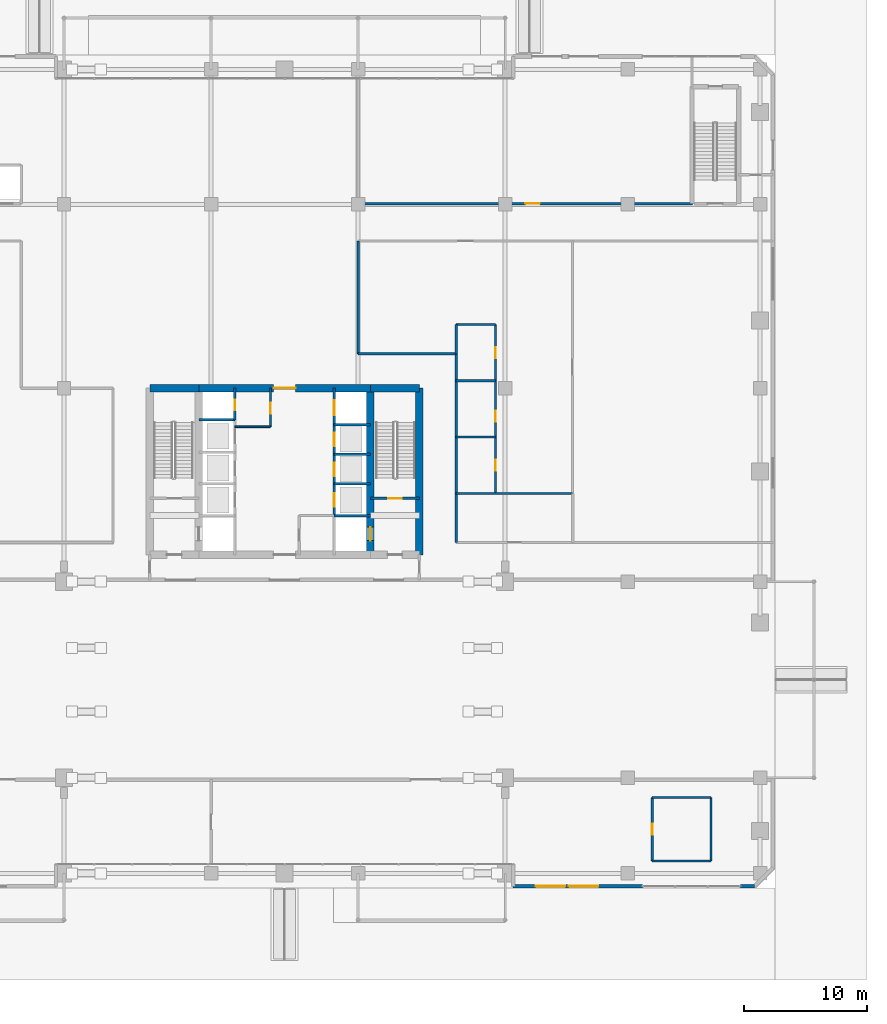
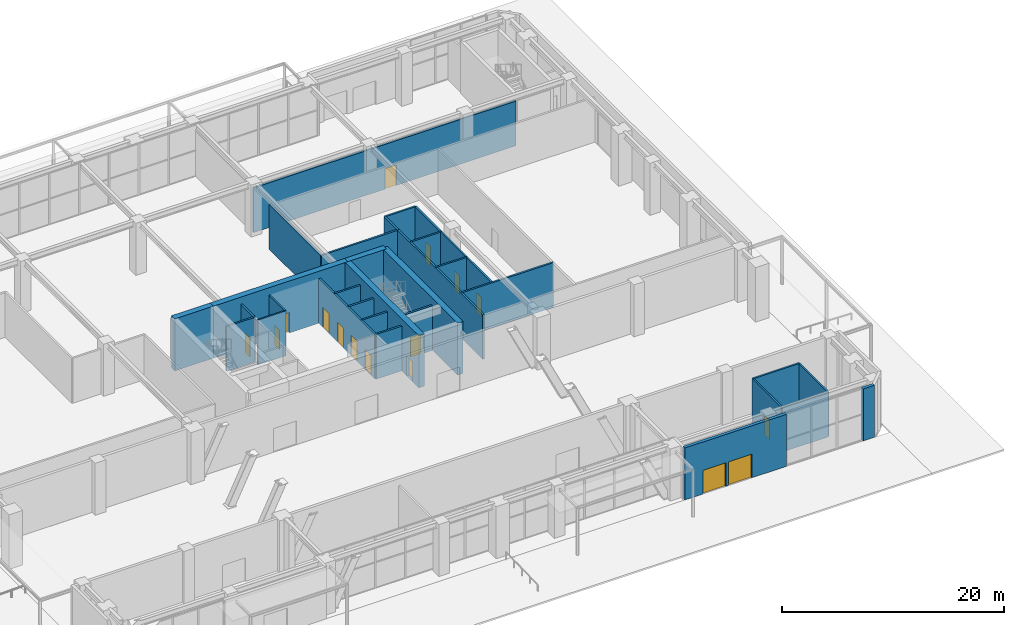
# One storey, part 38 of 49: 31 walls, 16 doors, 16 openings.
"""IFC4 building model written with IfcOpenShell, lengths in metres."""

from ifc_helpers import new_model, si_unit, direction, frame, frame_2d, origin, place, context, subcontext, project, spatial, rectangle, extrude, material, layer, layer_set, type_object, element, fill, save


model = new_model("IFC4")

# Units and contexts
model_context = context("Model", 3, precision=1e-05, world=origin(), true_north=direction((0.0, 1.0)))
body_context = subcontext(model_context, "Body", "Model", "MODEL_VIEW")
ifc_project = project(units=[si_unit("LENGTHUNIT", "METRE"), si_unit("AREAUNIT", "SQUARE_METRE"), si_unit("VOLUMEUNIT", "CUBIC_METRE"), si_unit("PLANEANGLEUNIT", "RADIAN"), si_unit("MASSUNIT", "GRAM", prefix="KILO")], contexts=[model_context])

# Site, building, storey
site_placement = place(None, origin())
site = spatial("IfcSite", under=ifc_project, at=site_placement, CompositionType="ELEMENT")
building_placement = place(site_placement, origin())
building = spatial("IfcBuilding", under=site, at=building_placement, Name="Sarneth Arch Tower", CompositionType="ELEMENT")
storey_placement = place(building_placement, origin())
storey = spatial("IfcBuildingStorey", under=building, at=storey_placement, Name="L00", CompositionType="ELEMENT", Elevation=0.0)

# Wall
ifc_material_1 = material(Name="Concrete C60/75", Category="concrete")
ifc_layer_1 = layer(ifc_material_1, 0.60009765625)
ifc_layer_set_1 = layer_set([ifc_layer_1], Name="Concrete C60/75")
wall_type_1 = type_object("IfcWallType", Name="WALL-CORE-600", PredefinedType="SHEAR", material=ifc_layer_set_1)
wall_1_placement = place(storey_placement, frame((37.0, 48.800048828125, 0.0), z_axis=(0.0, 0.0, 1.0), x_axis=(1.0, 0.0, 0.0)))
element("IfcWall", 1, at=wall_1_placement, inside=storey, type_object=wall_type_1, Name="L00 Core shear wall N-W", PredefinedType="SHEAR", context=body_context, shape_type="SweptSolid", body=[
    extrude(rectangle(XDim=4.0, YDim=0.60009765625, at=frame_2d((2.0, 0.0))), origin(), (0.0, 0.0, 1.0), 5.719970703125),
])

# Wall, opening, door
wall_2_placement = place(storey_placement, frame((41.0, 48.800048828125, 0.0), z_axis=(0.0, 0.0, 1.0), x_axis=(1.0, 0.0, 0.0)))
wall_2 = element("IfcWall", 2, at=wall_2_placement, inside=storey, type_object=wall_type_1, Name="L00 Core shear wall N-M", PredefinedType="SHEAR", context=body_context, shape_type="SweptSolid", body=[
    extrude(rectangle(XDim=14.0, YDim=0.60009765625, at=frame_2d((7.0, 0.0))), origin(), (0.0, 0.0, 1.0), 5.719970703125),
])
opening_1_placement = place(wall_2_placement, frame((6.10009765625, 0.0, 0.0)))
opening_1 = element("IfcOpeningElement", 3, at=opening_1_placement, cuts=wall_2, Name="Opening FD-01", PredefinedType="OPENING", context=body_context, shape_type="SweptSolid", body=[
    extrude(rectangle(XDim=1.800048828125, YDim=2.25, at=frame_2d((0.89990234375, 1.125))), frame((0.0, 0.31005859375, 0.0), z_axis=(0.0, -1.0, 0.0), x_axis=(1.0, 0.0, 0.0)), (0.0, 0.0, 1.0), 0.6201171875),
])
ifc_material_2 = material(Name="Galvanised Steel S275 fire door set", Category="steel")
door_type_1 = type_object("IfcDoorType", Name="DR-FD90-1800", OperationType="DOUBLE_DOOR_SINGLE_SWING", PredefinedType="DOOR", material=ifc_material_2)
door_1_placement = place(opening_1_placement, origin())
door_1 = element("IfcDoor", 4, at=door_1_placement, inside=storey, type_object=door_type_1, Name="L00 Central lift lobby north door", OperationType="DOUBLE_DOOR_SINGLE_SWING", OverallHeight=2.25, OverallWidth=1.800048828125, PredefinedType="DOOR", context=body_context, shape_type="SweptSolid", body=[
    extrude(rectangle(XDim=1.800048828125, YDim=2.25, at=frame_2d((0.89990234375, 1.125))), frame((0.0, 0.02490234375, 0.0), z_axis=(0.0, -1.0, 0.0), x_axis=(1.0, 0.0, 0.0)), (0.0, 0.0, 1.0), 0.050048828125),
])
fill(opening_1, door_1)

# Walls
wall_3_placement = place(storey_placement, frame((55.0, 48.800048828125, 0.0), z_axis=(0.0, 0.0, 1.0), x_axis=(1.0, 0.0, 0.0)))
element("IfcWall", 5, at=wall_3_placement, inside=storey, type_object=wall_type_1, Name="L00 Core shear wall N-E", PredefinedType="SHEAR", context=body_context, shape_type="SweptSolid", body=[
    extrude(rectangle(XDim=4.0, YDim=0.60009765625, at=frame_2d((2.0, 0.0))), origin(), (0.0, 0.0, 1.0), 5.719970703125),
])
wall_4_placement = place(storey_placement, frame((59.0, 35.199951171875, 0.0), z_axis=(0.0, 0.0, 1.0), x_axis=(0.0, 1.0, 0.0)))
element("IfcWall", 6, at=wall_4_placement, inside=storey, type_object=wall_type_1, Name="L00 Core shear wall E", PredefinedType="SHEAR", context=body_context, shape_type="SweptSolid", body=[
    extrude(rectangle(XDim=13.60009765625, YDim=0.60009765625, at=frame_2d((6.800048828125, 0.0))), origin(), (0.0, 0.0, 1.0), 5.719970703125),
])

# Wall, opening, door
wall_5_placement = place(storey_placement, frame((55.0, 35.199951171875, 0.0), z_axis=(0.0, 0.0, 1.0), x_axis=(0.0, 1.0, 0.0)))
wall_5 = element("IfcWall", 7, at=wall_5_placement, inside=storey, type_object=wall_type_1, Name="L00 Core shear wall WEB-E", PredefinedType="SHEAR", context=body_context, shape_type="SweptSolid", body=[
    extrude(rectangle(XDim=13.60009765625, YDim=0.60009765625, at=frame_2d((6.800048828125, 0.0))), origin(), (0.0, 0.0, 1.0), 5.719970703125),
])
opening_2_placement = place(wall_5_placement, frame((1.14990234375, 0.0, 0.0)))
opening_2 = element("IfcOpeningElement", 8, at=opening_2_placement, cuts=wall_5, Name="Opening LD-1", PredefinedType="OPENING", context=body_context, shape_type="SweptSolid", body=[
    extrude(rectangle(XDim=1.10009765625, YDim=2.199951171875, at=frame_2d((0.550048828125, 1.10009765625))), frame((0.0, 0.31005859375, 0.0), z_axis=(0.0, -1.0, 0.0), x_axis=(1.0, 0.0, 0.0)), (0.0, 0.0, 1.0), 0.6201171875),
])
ifc_material_3 = material(Name="Brushed Stainless Steel 304 lift landing door", Category="steel")
door_type_2 = type_object("IfcDoorType", Name="DR-LIFT-SLIDE-1100", OperationType="SLIDING_TO_LEFT", PredefinedType="DOOR", material=ifc_material_3)
door_2_placement = place(opening_2_placement, origin())
door_2 = element("IfcDoor", 9, at=door_2_placement, inside=storey, type_object=door_type_2, Name="L00 Firefighting lift landing door FL-2", OperationType="SLIDING_TO_RIGHT", OverallHeight=2.199951171875, OverallWidth=1.10009765625, PredefinedType="DOOR", context=body_context, shape_type="SweptSolid", body=[
    extrude(rectangle(XDim=1.10009765625, YDim=2.199951171875, at=frame_2d((0.550048828125, 1.10009765625))), frame((0.0, 0.02490234375, 0.0), z_axis=(0.0, -1.0, 0.0), x_axis=(1.0, 0.0, 0.0)), (0.0, 0.0, 1.0), 0.050048828125),
])
fill(opening_2, door_2)

ifc_material_4 = material(Name="Double steel-stud corridor fire wall", Category="steel")
ifc_layer_2 = layer(ifc_material_4, 0.18994140625)
ifc_layer_set_2 = layer_set([ifc_layer_2], Name="Double steel-stud corridor fire wall")
wall_type_2 = type_object("IfcWallType", Name="WALL-CORR-190", PredefinedType="PARTITIONING", material=ifc_layer_set_2)
wall_6_placement = place(storey_placement, frame((54.0, 63.85009765625, 0.0), z_axis=(0.0, 0.0, 1.0), x_axis=(1.0, 0.0, 0.0)))
wall_6 = element("IfcWall", 10, at=wall_6_placement, inside=storey, type_object=wall_type_2, Name="L00 Interior partition W-L00N-TP-004", PredefinedType="PARTITIONING", context=body_context, shape_type="SweptSolid", body=[
    extrude(rectangle(XDim=27.281982421875, YDim=0.18994140625, at=frame_2d((13.64111328125, 0.0))), origin(), (0.0, 0.0, 1.0), 4.919921875),
])
opening_3_placement = place(wall_6_placement, frame((13.64111328125, 0.0, 0.0)))
opening_3 = element("IfcOpeningElement", 11, at=opening_3_placement, cuts=wall_6, Name="Opening FD-06", PredefinedType="OPENING", context=body_context, shape_type="SweptSolid", body=[
    extrude(rectangle(XDim=1.199951171875, YDim=2.25, at=frame_2d((0.60009765625, 1.125))), frame((0.0, 0.10498046875, 0.0), z_axis=(0.0, -1.0, 0.0), x_axis=(1.0, 0.0, 0.0)), (0.0, 0.0, 1.0), 0.2099609375),
])
ifc_material_5 = material(Name="Hardwood timber acoustic fire door", Category="wood")
door_type_3 = type_object("IfcDoorType", Name="DR-FD60-1200", OperationType="SINGLE_SWING_LEFT", PredefinedType="DOOR", material=ifc_material_5)
door_3_placement = place(opening_3_placement, origin())
door_3 = element("IfcDoor", 12, at=door_3_placement, inside=storey, type_object=door_type_3, Name="L00 Interior door DR-L00-RLOB", OperationType="SINGLE_SWING_LEFT", OverallHeight=2.25, OverallWidth=1.199951171875, PredefinedType="DOOR", context=body_context, shape_type="SweptSolid", body=[
    extrude(rectangle(XDim=1.199951171875, YDim=2.25, at=frame_2d((0.60009765625, 1.125))), frame((0.0, 0.02490234375, 0.0), z_axis=(0.0, -1.0, 0.0), x_axis=(1.0, 0.0, 0.0)), (0.0, 0.0, 1.0), 0.050048828125),
])
fill(opening_3, door_3)

# Walls
wall_7_placement = place(storey_placement, frame((54.0, 60.800048828125, 0.0), z_axis=(0.0, 0.0, 1.0), x_axis=(0.0, -1.0, 0.0)))
element("IfcWall", 13, at=wall_7_placement, inside=storey, type_object=wall_type_2, Name="L00 Interior partition W-L00N-TP-019", PredefinedType="PARTITIONING", context=body_context, shape_type="SweptSolid", body=[
    extrude(rectangle(XDim=9.199951171875, YDim=0.18994140625, at=frame_2d((4.60009765625, 0.0))), origin(), (0.0, 0.0, 1.0), 4.919921875),
])
wall_8_placement = place(storey_placement, frame((54.0, 51.60009765625, 0.0), z_axis=(0.0, 0.0, 1.0), x_axis=(1.0, 0.0, 0.0)))
element("IfcWall", 14, at=wall_8_placement, inside=storey, type_object=wall_type_2, Name="L00 Interior partition W-L00N-TP-020", PredefinedType="PARTITIONING", context=body_context, shape_type="SweptSolid", body=[
    extrude(rectangle(XDim=8.0, YDim=0.18994140625, at=frame_2d((4.0, 0.0))), origin(), (0.0, 0.0, 1.0), 4.919921875),
])
wall_9_placement = place(storey_placement, frame((62.0, 40.199951171875, 0.0), z_axis=(0.0, 0.0, 1.0), x_axis=(1.0, 0.0, 0.0)))
element("IfcWall", 15, at=wall_9_placement, inside=storey, type_object=wall_type_2, Name="L00 Interior partition W-L00N-TP-026", PredefinedType="PARTITIONING", context=body_context, shape_type="SweptSolid", body=[
    extrude(rectangle(XDim=9.5, YDim=0.18994140625, at=frame_2d((4.75, 0.0))), origin(), (0.0, 0.0, 1.0), 4.919921875),
])
wall_10_placement = place(storey_placement, frame((62.0, 51.60009765625, 0.0), z_axis=(0.0, 0.0, 1.0), x_axis=(0.0, -1.0, 0.0)))
element("IfcWall", 16, at=wall_10_placement, inside=storey, type_object=wall_type_2, Name="L00 Interior partition W-L00N-TP-015", PredefinedType="PARTITIONING", context=body_context, shape_type="SweptSolid", body=[
    extrude(rectangle(XDim=15.400146484375, YDim=0.18994140625, at=frame_2d((7.7001953125, 0.0))), origin(), (0.0, 0.0, 1.0), 4.919921875),
])
ifc_material_6 = material(Name="Extruded terracotta rainscreen on Concrete C40/50 backing", Category="masonry")
ifc_layer_3 = layer(ifc_material_6, 0.320068359375)
ifc_layer_set_3 = layer_set([ifc_layer_3], Name="Extruded terracotta rainscreen on Concrete C40/50 backing")
wall_type_3 = type_object("IfcWallType", Name="WALL-EXT-TERRA-320", PredefinedType="SOLIDWALL", material=ifc_layer_set_3)
wall_11_placement = place(storey_placement, frame((85.199951171875, 8.14990234375, 0.0), z_axis=(0.0, 0.0, 1.0), x_axis=(1.0, 0.0, 0.0)))
element("IfcWall", 17, at=wall_11_placement, inside=storey, type_object=wall_type_3, Name="L00 South-east pier", PredefinedType="SOLIDWALL", context=body_context, shape_type="SweptSolid", body=[
    extrude(rectangle(XDim=1.150146484375, YDim=0.320068359375, at=frame_2d((0.5751953125, 0.0))), origin(), (0.0, 0.0, 1.0), 5.719970703125),
])

# Wall, openings, doors
wall_12_placement = place(storey_placement, frame((77.199951171875, 8.14990234375, 0.0), z_axis=(0.0, 0.0, 1.0), x_axis=(-1.0, 0.0, 0.0)))
wall_12 = element("IfcWall", 18, at=wall_12_placement, inside=storey, type_object=wall_type_3, Name="L00 South-east podium wing wall", PredefinedType="SOLIDWALL", context=body_context, shape_type="SweptSolid", body=[
    extrude(rectangle(XDim=10.550048828125, YDim=0.320068359375, at=frame_2d((5.27490234375, 0.0))), origin(), (0.0, 0.0, 1.0), 5.719970703125),
])
opening_4_placement = place(wall_12_placement, frame((6.300048828125, 0.0, 0.0)))
opening_4 = element("IfcOpeningElement", 19, at=opening_4_placement, cuts=wall_12, Name="Opening ED-1", PredefinedType="OPENING", context=body_context, shape_type="SweptSolid", body=[
    extrude(rectangle(XDim=2.39990234375, YDim=2.60009765625, at=frame_2d((1.199951171875, 1.300048828125))), frame((0.0, 0.169921875, 0.0), z_axis=(0.0, -1.0, 0.0), x_axis=(1.0, 0.0, 0.0)), (0.0, 0.0, 1.0), 0.340087890625),
])
opening_5_placement = place(wall_12_placement, frame((3.60009765625, 0.0, 0.0)))
opening_5 = element("IfcOpeningElement", 20, at=opening_5_placement, cuts=wall_12, Name="Opening ED-1", PredefinedType="OPENING", context=body_context, shape_type="SweptSolid", body=[
    extrude(rectangle(XDim=2.39990234375, YDim=2.60009765625, at=frame_2d((1.199951171875, 1.300048828125))), frame((0.0, 0.169921875, 0.0), z_axis=(0.0, -1.0, 0.0), x_axis=(1.0, 0.0, 0.0)), (0.0, 0.0, 1.0), 0.340087890625),
])
ifc_material_7 = material(Name="Thermally broken Aluminium 6063-T6 and laminated safety glass", Category="aluminium")
door_type_4 = type_object("IfcDoorType", Name="DR-EXT-DBL-2400", OperationType="DOUBLE_DOOR_SINGLE_SWING", PredefinedType="DOOR", material=ifc_material_7)
door_4_placement = place(opening_4_placement, origin())
door_4 = element("IfcDoor", 21, at=door_4_placement, inside=storey, type_object=door_type_4, Name="South Plaza Retail Exit Door 2", OperationType="DOUBLE_DOOR_SINGLE_SWING", OverallHeight=2.60009765625, OverallWidth=2.39990234375, PredefinedType="DOOR", context=body_context, shape_type="SweptSolid", body=[
    extrude(rectangle(XDim=2.39990234375, YDim=2.60009765625, at=frame_2d((1.199951171875, 1.300048828125))), frame((0.0, 0.02490234375, 0.0), z_axis=(0.0, -1.0, 0.0), x_axis=(1.0, 0.0, 0.0)), (0.0, 0.0, 1.0), 0.050048828125),
])
fill(opening_4, door_4)
door_5_placement = place(opening_5_placement, origin())
door_5 = element("IfcDoor", 22, at=door_5_placement, inside=storey, type_object=door_type_4, Name="South Plaza Retail Exit Door 3", OperationType="DOUBLE_DOOR_SINGLE_SWING", OverallHeight=2.60009765625, OverallWidth=2.39990234375, PredefinedType="DOOR", context=body_context, shape_type="SweptSolid", body=[
    extrude(rectangle(XDim=2.39990234375, YDim=2.60009765625, at=frame_2d((1.199951171875, 1.300048828125))), frame((0.0, 0.02490234375, 0.0), z_axis=(0.0, -1.0, 0.0), x_axis=(1.0, 0.0, 0.0)), (0.0, 0.0, 1.0), 0.050048828125),
])
fill(opening_5, door_5)

# Wall
ifc_material_8 = material(Name="Acoustic gypsum stud partition", Category="gypsum")
ifc_layer_4 = layer(ifc_material_8, 0.14990234375)
ifc_layer_set_4 = layer_set([ifc_layer_4], Name="Acoustic gypsum stud partition")
wall_type_4 = type_object("IfcWallType", Name="WALL-PART-150", PredefinedType="PARTITIONING", material=ifc_layer_set_4)
wall_13_placement = place(storey_placement, frame((43.949951171875, 45.64990234375, 0.0), z_axis=(0.0, 0.0, 1.0), x_axis=(1.0, 0.0, 0.0)))
element("IfcWall", 23, at=wall_13_placement, inside=storey, type_object=wall_type_4, Name="L00 Interior partition W-L00-CSUP1-S", PredefinedType="PARTITIONING", context=body_context, shape_type="SweptSolid", body=[
    extrude(rectangle(XDim=2.900146484375, YDim=0.14990234375, at=frame_2d((1.4501953125, 0.0))), origin(), (0.0, 0.0, 1.0), 4.919921875),
])

# Wall, opening, door
wall_14_placement = place(storey_placement, frame((46.85009765625, 45.64990234375, 0.0), z_axis=(0.0, 0.0, 1.0), x_axis=(0.0, 1.0, 0.0)))
wall_14 = element("IfcWall", 24, at=wall_14_placement, inside=storey, type_object=wall_type_4, Name="L00 Interior partition W-L00-CSUP1-E", PredefinedType="PARTITIONING", context=body_context, shape_type="SweptSolid", body=[
    extrude(rectangle(XDim=3.150146484375, YDim=0.14990234375, at=frame_2d((1.5751953125, 0.0))), origin(), (0.0, 0.0, 1.0), 4.919921875),
])
opening_6_placement = place(wall_14_placement, frame((1.050048828125, 0.0, 0.0)))
opening_6 = element("IfcOpeningElement", 25, at=opening_6_placement, cuts=wall_14, Name="Opening FD-10", PredefinedType="OPENING", context=body_context, shape_type="SweptSolid", body=[
    extrude(rectangle(XDim=0.89990234375, YDim=2.14990234375, at=frame_2d((0.449951171875, 1.074951171875))), frame((0.0, 0.0849609375, 0.0), z_axis=(0.0, -1.0, 0.0), x_axis=(1.0, 0.0, 0.0)), (0.0, 0.0, 1.0), 0.169921875),
])
ifc_material_9 = material(Name="Galvanised Steel S275 riser/service fire door", Category="steel")
door_type_5 = type_object("IfcDoorType", Name="DR-FD60-900", OperationType="SINGLE_SWING_LEFT", PredefinedType="DOOR", material=ifc_material_9)
door_6_placement = place(opening_6_placement, origin())
door_6 = element("IfcDoor", 26, at=door_6_placement, inside=storey, type_object=door_type_5, Name="L00 Interior door DR-L00-CSUP1", OperationType="SINGLE_SWING_LEFT", OverallHeight=2.14990234375, OverallWidth=0.89990234375, PredefinedType="DOOR", context=body_context, shape_type="SweptSolid", body=[
    extrude(rectangle(XDim=0.89990234375, YDim=2.14990234375, at=frame_2d((0.449951171875, 1.074951171875))), frame((0.0, 0.02490234375, 0.0), z_axis=(0.0, -1.0, 0.0), x_axis=(1.0, 0.0, 0.0)), (0.0, 0.0, 1.0), 0.050048828125),
])
fill(opening_6, door_6)

ifc_material_10 = material(Name="Moisture-resistant plumbing chase wall", Category="gypsum")
ifc_layer_5 = layer(ifc_material_10, 0.179931640625)
ifc_layer_set_5 = layer_set([ifc_layer_5], Name="Moisture-resistant plumbing chase wall")
wall_type_5 = type_object("IfcWallType", Name="WALL-PLUMB-180", PredefinedType="PLUMBINGWALL", material=ifc_layer_set_5)
wall_15_placement = place(storey_placement, frame((78.0, 15.39990234375, 0.0), z_axis=(0.0, 0.0, 1.0), x_axis=(0.0, -1.0, 0.0)))
wall_15 = element("IfcWall", 27, at=wall_15_placement, inside=storey, type_object=wall_type_5, Name="L00 Interior partition W-L00S-TP-002", PredefinedType="PLUMBINGWALL", context=body_context, shape_type="SweptSolid", body=[
    extrude(rectangle(XDim=5.199951171875, YDim=0.179931640625, at=frame_2d((2.60009765625, 0.0))), origin(), (0.0, 0.0, 1.0), 4.919921875),
])
opening_7_placement = place(wall_15_placement, frame((2.14990234375, 0.0, 0.0)))
opening_7 = element("IfcOpeningElement", 28, at=opening_7_placement, cuts=wall_15, Name="Opening ID-01", PredefinedType="OPENING", context=body_context, shape_type="SweptSolid", body=[
    extrude(rectangle(XDim=0.89990234375, YDim=2.10009765625, at=frame_2d((0.449951171875, 1.050048828125))), frame((0.0, 0.099853515625, 0.0), z_axis=(0.0, -1.0, 0.0), x_axis=(1.0, 0.0, 0.0)), (0.0, 0.0, 1.0), 0.199951171875),
])
ifc_material_11 = material(Name="Engineered hardwood flush door", Category="wood")
door_type_6 = type_object("IfcDoorType", Name="DR-INT-900", OperationType="SINGLE_SWING_LEFT", PredefinedType="DOOR", material=ifc_material_11)
door_7_placement = place(opening_7_placement, origin())
door_7 = element("IfcDoor", 29, at=door_7_placement, inside=storey, type_object=door_type_6, Name="L00 Interior door DR-L00-SWC", OperationType="SINGLE_SWING_RIGHT", OverallHeight=2.10009765625, OverallWidth=0.89990234375, PredefinedType="DOOR", context=body_context, shape_type="SweptSolid", body=[
    extrude(rectangle(XDim=0.89990234375, YDim=2.10009765625, at=frame_2d((0.449951171875, 1.050048828125))), frame((0.0, 0.02490234375, 0.0), z_axis=(0.0, -1.0, 0.0), x_axis=(1.0, 0.0, 0.0)), (0.0, 0.0, 1.0), 0.050048828125),
])
fill(opening_7, door_7)

# Walls
wall_16_placement = place(storey_placement, frame((82.800048828125, 10.199951171875, 0.0), z_axis=(0.0, 0.0, 1.0), x_axis=(0.0, 1.0, 0.0)))
element("IfcWall", 30, at=wall_16_placement, inside=storey, type_object=wall_type_5, Name="L00 Interior partition W-L00S-TP-004", PredefinedType="PLUMBINGWALL", context=body_context, shape_type="SweptSolid", body=[
    extrude(rectangle(XDim=5.199951171875, YDim=0.179931640625, at=frame_2d((2.60009765625, 0.0))), origin(), (0.0, 0.0, 1.0), 4.919921875),
])
for number, where, z_axis, x_axis, name in (
    (31, (78.0, 10.199951171875, 0.0), (0.0, 0.0, 1.0), (1.0, 0.0, 0.0), "L00 Interior partition W-L00S-TP-003"),
    (32, (82.800048828125, 15.39990234375, 0.0), (0.0, 0.0, 1.0), (-1.0, 0.0, 0.0), "L00 Interior partition W-L00S-TP-005"),
):
    element("IfcWall", number, at=place(storey_placement, frame(where, z_axis=z_axis, x_axis=x_axis)), inside=storey, type_object=wall_type_5, Name=name, PredefinedType="PLUMBINGWALL", context=body_context, shape_type="SweptSolid", body=[
        extrude(rectangle(XDim=4.800048828125, YDim=0.179931640625, at=frame_2d((2.39990234375, 0.0))), origin(), (0.0, 0.0, 1.0), 4.919921875),
    ])

# Wall, openings, doors
wall_17_placement = place(storey_placement, frame((65.199951171875, 54.0, 0.0), z_axis=(0.0, 0.0, 1.0), x_axis=(0.0, -1.0, 0.0)))
wall_17 = element("IfcWall", 33, at=wall_17_placement, inside=storey, type_object=wall_type_5, Name="L00 Interior partition W-L00N-TP-031", PredefinedType="PLUMBINGWALL", context=body_context, shape_type="SweptSolid", body=[
    extrude(rectangle(XDim=13.800048828125, YDim=0.179931640625, at=frame_2d((6.89990234375, 0.0))), origin(), (0.0, 0.0, 1.0), 4.919921875),
])
opening_8_placement = place(wall_17_placement, frame((7.050048828125, 0.0, 0.0)))
opening_8 = element("IfcOpeningElement", 34, at=opening_8_placement, cuts=wall_17, Name="Opening ID-01", PredefinedType="OPENING", context=body_context, shape_type="SweptSolid", body=[
    extrude(rectangle(XDim=0.89990234375, YDim=2.10009765625, at=frame_2d((0.449951171875, 1.050048828125))), frame((0.0, 0.099853515625, 0.0), z_axis=(0.0, -1.0, 0.0), x_axis=(1.0, 0.0, 0.0)), (0.0, 0.0, 1.0), 0.199951171875),
])
opening_9_placement = place(wall_17_placement, frame((1.85009765625, 0.0, 0.0)))
opening_9 = element("IfcOpeningElement", 35, at=opening_9_placement, cuts=wall_17, Name="Opening ID-01", PredefinedType="OPENING", context=body_context, shape_type="SweptSolid", body=[
    extrude(rectangle(XDim=0.89990234375, YDim=2.10009765625, at=frame_2d((0.449951171875, 1.050048828125))), frame((0.0, 0.099853515625, 0.0), z_axis=(0.0, -1.0, 0.0), x_axis=(1.0, 0.0, 0.0)), (0.0, 0.0, 1.0), 0.199951171875),
])
opening_10_placement = place(wall_17_placement, frame((11.050048828125, 0.0, 0.0)))
opening_10 = element("IfcOpeningElement", 36, at=opening_10_placement, cuts=wall_17, Name="Opening ID-01", PredefinedType="OPENING", context=body_context, shape_type="SweptSolid", body=[
    extrude(rectangle(XDim=0.89990234375, YDim=2.10009765625, at=frame_2d((0.449951171875, 1.050048828125))), frame((0.0, 0.099853515625, 0.0), z_axis=(0.0, -1.0, 0.0), x_axis=(1.0, 0.0, 0.0)), (0.0, 0.0, 1.0), 0.199951171875),
])
door_8_placement = place(opening_8_placement, origin())
door_8 = element("IfcDoor", 37, at=door_8_placement, inside=storey, type_object=door_type_6, Name="L00 Interior door DR-L00-PWCW", OperationType="SINGLE_SWING_LEFT", OverallHeight=2.10009765625, OverallWidth=0.89990234375, PredefinedType="DOOR", context=body_context, shape_type="SweptSolid", body=[
    extrude(rectangle(XDim=0.89990234375, YDim=2.10009765625, at=frame_2d((0.449951171875, 1.050048828125))), frame((0.0, 0.02490234375, 0.0), z_axis=(0.0, -1.0, 0.0), x_axis=(1.0, 0.0, 0.0)), (0.0, 0.0, 1.0), 0.050048828125),
])
fill(opening_8, door_8)
door_9_placement = place(opening_9_placement, origin())
door_9 = element("IfcDoor", 38, at=door_9_placement, inside=storey, type_object=door_type_6, Name="L00 Interior door DR-L00-PWCA", OperationType="SINGLE_SWING_RIGHT", OverallHeight=2.10009765625, OverallWidth=0.89990234375, PredefinedType="DOOR", context=body_context, shape_type="SweptSolid", body=[
    extrude(rectangle(XDim=0.89990234375, YDim=2.10009765625, at=frame_2d((0.449951171875, 1.050048828125))), frame((0.0, 0.02490234375, 0.0), z_axis=(0.0, -1.0, 0.0), x_axis=(1.0, 0.0, 0.0)), (0.0, 0.0, 1.0), 0.050048828125),
])
fill(opening_9, door_9)
door_10_placement = place(opening_10_placement, origin())
door_10 = element("IfcDoor", 39, at=door_10_placement, inside=storey, type_object=door_type_6, Name="L00 Interior door DR-L00-PWCM", OperationType="SINGLE_SWING_LEFT", OverallHeight=2.10009765625, OverallWidth=0.89990234375, PredefinedType="DOOR", context=body_context, shape_type="SweptSolid", body=[
    extrude(rectangle(XDim=0.89990234375, YDim=2.10009765625, at=frame_2d((0.449951171875, 1.050048828125))), frame((0.0, 0.02490234375, 0.0), z_axis=(0.0, -1.0, 0.0), x_axis=(1.0, 0.0, 0.0)), (0.0, 0.0, 1.0), 0.050048828125),
])
fill(opening_10, door_10)

# Walls
for number, where, z_axis, x_axis, name in (
    (40, (62.0, 44.800048828125, 0.0), (0.0, 0.0, 1.0), (1.0, 0.0, 0.0), "L00 Interior partition W-L00N-TP-028"),
    (41, (62.0, 49.39990234375, 0.0), (0.0, 0.0, 1.0), (1.0, 0.0, 0.0), "L00 Interior partition W-L00N-TP-030"),
    (42, (62.0, 54.0, 0.0), (0.0, 0.0, 1.0), (1.0, 0.0, 0.0), "L00 Interior partition W-L00N-TP-033"),
):
    element("IfcWall", number, at=place(storey_placement, frame(where, z_axis=z_axis, x_axis=x_axis)), inside=storey, type_object=wall_type_5, Name=name, PredefinedType="PLUMBINGWALL", context=body_context, shape_type="SweptSolid", body=[
        extrude(rectangle(XDim=3.199951171875, YDim=0.179931640625, at=frame_2d((1.60009765625, 0.0))), origin(), (0.0, 0.0, 1.0), 4.919921875),
    ])
wall_18_placement = place(storey_placement, frame((62.0, 51.568115234375, 0.0), z_axis=(0.0, 0.0, 1.0), x_axis=(0.0, 1.0, 0.0)))
element("IfcWall", 43, at=wall_18_placement, inside=storey, type_object=wall_type_5, Name="L00 Interior partition W-L00N-TP-032", PredefinedType="PLUMBINGWALL", context=body_context, shape_type="SweptSolid", body=[
    extrude(rectangle(XDim=2.431884765625, YDim=0.179931640625, at=frame_2d((1.2158203125, 0.0))), origin(), (0.0, 0.0, 1.0), 4.919921875),
])

# Wall, opening, door
ifc_material_12 = material(Name="Aerated concrete blockwork C25/30", Category="masonry")
ifc_layer_6 = layer(ifc_material_12, 0.199951171875)
ifc_layer_set_6 = layer_set([ifc_layer_6], Name="Aerated concrete blockwork C25/30")
wall_type_6 = type_object("IfcWallType", Name="WALL-SHAFT-200", PredefinedType="SOLIDWALL", material=ifc_layer_set_6)
wall_19_placement = place(storey_placement, frame((55.0, 39.800048828125, 0.0), z_axis=(0.0, 0.0, 1.0), x_axis=(1.0, 0.0, 0.0)))
wall_19 = element("IfcWall", 44, at=wall_19_placement, inside=storey, type_object=wall_type_6, Name="L00 Interior partition W-L00-ST2-S", PredefinedType="SOLIDWALL", context=body_context, shape_type="SweptSolid", body=[
    extrude(rectangle(XDim=4.0, YDim=0.199951171875, at=frame_2d((2.0, 0.0))), origin(), (0.0, 0.0, 1.0), 4.919921875),
])
opening_11_placement = place(wall_19_placement, frame((1.449951171875, 0.0, 0.0)))
opening_11 = element("IfcOpeningElement", 45, at=opening_11_placement, cuts=wall_19, Name="Opening FD-03", PredefinedType="OPENING", context=body_context, shape_type="SweptSolid", body=[
    extrude(rectangle(XDim=1.10009765625, YDim=2.14990234375, at=frame_2d((0.550048828125, 1.074951171875))), frame((0.0, 0.10986328125, 0.0), z_axis=(0.0, -1.0, 0.0), x_axis=(1.0, 0.0, 0.0)), (0.0, 0.0, 1.0), 0.219970703125),
])
ifc_material_13 = material(Name="Galvanised Steel S275 fire door set", Category="steel")
door_type_7 = type_object("IfcDoorType", Name="DR-FD90-1100", OperationType="SINGLE_SWING_LEFT", PredefinedType="DOOR", material=ifc_material_13)
door_11_placement = place(opening_11_placement, origin())
door_11 = element("IfcDoor", 46, at=door_11_placement, inside=storey, type_object=door_type_7, Name="L00 Interior door DR-L00-ST2", OperationType="SINGLE_SWING_RIGHT", OverallHeight=2.14990234375, OverallWidth=1.10009765625, PredefinedType="DOOR", context=body_context, shape_type="SweptSolid", body=[
    extrude(rectangle(XDim=1.10009765625, YDim=2.14990234375, at=frame_2d((0.550048828125, 1.074951171875))), frame((0.0, 0.02490234375, 0.0), z_axis=(0.0, -1.0, 0.0), x_axis=(1.0, 0.0, 0.0)), (0.0, 0.0, 1.0), 0.050048828125),
])
fill(opening_11, door_11)

# Walls
for number, where, z_axis, x_axis, name in (
    (47, (52.050048828125, 38.39990234375, 0.0), (0.0, 0.0, 1.0), (1.0, 0.0, 0.0), "L00 Interior partition W-L00-FL2-N"),
    (48, (41.0, 46.199951171875, 0.0), (0.0, 0.0, 1.0), (1.0, 0.0, 0.0), "L00 Interior partition W-L00-RISER-S"),
):
    element("IfcWall", number, at=place(storey_placement, frame(where, z_axis=z_axis, x_axis=x_axis)), inside=storey, type_object=wall_type_6, Name=name, PredefinedType="SOLIDWALL", context=body_context, shape_type="SweptSolid", body=[
        extrude(rectangle(XDim=2.949951171875, YDim=0.199951171875, at=frame_2d((1.47509765625, 0.0))), origin(), (0.0, 0.0, 1.0), 4.919921875),
    ])

# Wall, opening, door
wall_20_placement = place(storey_placement, frame((43.949951171875, 46.199951171875, 0.0), z_axis=(0.0, 0.0, 1.0), x_axis=(0.0, 1.0, 0.0)))
wall_20 = element("IfcWall", 49, at=wall_20_placement, inside=storey, type_object=wall_type_6, Name="L00 Interior partition W-L00-RISER-E", PredefinedType="SOLIDWALL", context=body_context, shape_type="SweptSolid", body=[
    extrude(rectangle(XDim=2.60009765625, YDim=0.199951171875, at=frame_2d((1.300048828125, 0.0))), origin(), (0.0, 0.0, 1.0), 4.919921875),
])
opening_12_placement = place(wall_20_placement, frame((0.800048828125, 0.0, 0.0)))
opening_12 = element("IfcOpeningElement", 50, at=opening_12_placement, cuts=wall_20, Name="Opening FD-11", PredefinedType="OPENING", context=body_context, shape_type="SweptSolid", body=[
    extrude(rectangle(XDim=0.85009765625, YDim=2.14990234375, at=frame_2d((0.425048828125, 1.074951171875))), frame((0.0, 0.10986328125, 0.0), z_axis=(0.0, -1.0, 0.0), x_axis=(1.0, 0.0, 0.0)), (0.0, 0.0, 1.0), 0.219970703125),
])
ifc_material_14 = material(Name="Galvanised Steel S275 closet fire door", Category="steel")
door_type_8 = type_object("IfcDoorType", Name="DR-FD60-850", OperationType="SINGLE_SWING_LEFT", PredefinedType="DOOR", material=ifc_material_14)
door_12_placement = place(opening_12_placement, origin())
door_12 = element("IfcDoor", 51, at=door_12_placement, inside=storey, type_object=door_type_8, Name="L00 Lift landing door DR-L00-RISER", OperationType="SINGLE_SWING_LEFT", OverallHeight=2.14990234375, OverallWidth=0.85009765625, PredefinedType="DOOR", context=body_context, shape_type="SweptSolid", body=[
    extrude(rectangle(XDim=0.85009765625, YDim=2.14990234375, at=frame_2d((0.425048828125, 1.074951171875))), frame((0.0, 0.02490234375, 0.0), z_axis=(0.0, -1.0, 0.0), x_axis=(1.0, 0.0, 0.0)), (0.0, 0.0, 1.0), 0.050048828125),
])
fill(opening_12, door_12)

# Wall, openings, doors
wall_21_placement = place(storey_placement, frame((52.050048828125, 38.39990234375, 0.0), z_axis=(0.0, 0.0, 1.0), x_axis=(0.0, 1.0, 0.0)))
wall_21 = element("IfcWall", 52, at=wall_21_placement, inside=storey, type_object=wall_type_6, Name="L00 Interior partition W-L00-EASTBANK-FRONT", PredefinedType="SOLIDWALL", context=body_context, shape_type="SweptSolid", body=[
    extrude(rectangle(XDim=10.400146484375, YDim=0.199951171875, at=frame_2d((5.2001953125, 0.0))), origin(), (0.0, 0.0, 1.0), 4.919921875),
])
opening_13_placement = place(wall_21_placement, frame((0.699951171875, 0.0, 0.0)))
opening_13 = element("IfcOpeningElement", 53, at=opening_13_placement, cuts=wall_21, Name="Opening LD-1", PredefinedType="OPENING", context=body_context, shape_type="SweptSolid", body=[
    extrude(rectangle(XDim=1.10009765625, YDim=2.199951171875, at=frame_2d((0.550048828125, 1.10009765625))), frame((0.0, 0.10986328125, 0.0), z_axis=(0.0, -1.0, 0.0), x_axis=(1.0, 0.0, 0.0)), (0.0, 0.0, 1.0), 0.219970703125),
])
opening_14_placement = place(wall_21_placement, frame((3.199951171875, 0.0, 0.0)))
opening_14 = element("IfcOpeningElement", 54, at=opening_14_placement, cuts=wall_21, Name="Opening LD-1", PredefinedType="OPENING", context=body_context, shape_type="SweptSolid", body=[
    extrude(rectangle(XDim=1.10009765625, YDim=2.199951171875, at=frame_2d((0.550048828125, 1.10009765625))), frame((0.0, 0.10986328125, 0.0), z_axis=(0.0, -1.0, 0.0), x_axis=(1.0, 0.0, 0.0)), (0.0, 0.0, 1.0), 0.219970703125),
])
opening_15_placement = place(wall_21_placement, frame((5.64990234375, 0.0, 0.0)))
opening_15 = element("IfcOpeningElement", 55, at=opening_15_placement, cuts=wall_21, Name="Opening LD-1", PredefinedType="OPENING", context=body_context, shape_type="SweptSolid", body=[
    extrude(rectangle(XDim=1.10009765625, YDim=2.199951171875, at=frame_2d((0.550048828125, 1.10009765625))), frame((0.0, 0.10986328125, 0.0), z_axis=(0.0, -1.0, 0.0), x_axis=(1.0, 0.0, 0.0)), (0.0, 0.0, 1.0), 0.219970703125),
])
opening_16_placement = place(wall_21_placement, frame((8.199951171875, 0.0, 0.0)))
opening_16 = element("IfcOpeningElement", 56, at=opening_16_placement, cuts=wall_21, Name="Opening LD-2", PredefinedType="OPENING", context=body_context, shape_type="SweptSolid", body=[
    extrude(rectangle(XDim=1.199951171875, YDim=2.199951171875, at=frame_2d((0.60009765625, 1.10009765625))), frame((0.0, 0.10986328125, 0.0), z_axis=(0.0, -1.0, 0.0), x_axis=(1.0, 0.0, 0.0)), (0.0, 0.0, 1.0), 0.219970703125),
])
door_13_placement = place(opening_13_placement, origin())
door_13 = element("IfcDoor", 57, at=door_13_placement, inside=storey, type_object=door_type_2, Name="L00 Lift landing door DR-L00-LD-PM2", OperationType="SLIDING_TO_LEFT", OverallHeight=2.199951171875, OverallWidth=1.10009765625, PredefinedType="DOOR", context=body_context, shape_type="SweptSolid", body=[
    extrude(rectangle(XDim=1.10009765625, YDim=2.199951171875, at=frame_2d((0.550048828125, 1.10009765625))), frame((0.0, 0.02490234375, 0.0), z_axis=(0.0, -1.0, 0.0), x_axis=(1.0, 0.0, 0.0)), (0.0, 0.0, 1.0), 0.050048828125),
])
fill(opening_13, door_13)
door_14_placement = place(opening_14_placement, origin())
door_14 = element("IfcDoor", 58, at=door_14_placement, inside=storey, type_object=door_type_2, Name="L00 Lift landing door DR-L00-LD-PH1", OperationType="SLIDING_TO_RIGHT", OverallHeight=2.199951171875, OverallWidth=1.10009765625, PredefinedType="DOOR", context=body_context, shape_type="SweptSolid", body=[
    extrude(rectangle(XDim=1.10009765625, YDim=2.199951171875, at=frame_2d((0.550048828125, 1.10009765625))), frame((0.0, 0.02490234375, 0.0), z_axis=(0.0, -1.0, 0.0), x_axis=(1.0, 0.0, 0.0)), (0.0, 0.0, 1.0), 0.050048828125),
])
fill(opening_14, door_14)
door_15_placement = place(opening_15_placement, origin())
door_15 = element("IfcDoor", 59, at=door_15_placement, inside=storey, type_object=door_type_2, Name="L00 Lift landing door DR-L00-LD-PH2", OperationType="SLIDING_TO_LEFT", OverallHeight=2.199951171875, OverallWidth=1.10009765625, PredefinedType="DOOR", context=body_context, shape_type="SweptSolid", body=[
    extrude(rectangle(XDim=1.10009765625, YDim=2.199951171875, at=frame_2d((0.550048828125, 1.10009765625))), frame((0.0, 0.02490234375, 0.0), z_axis=(0.0, -1.0, 0.0), x_axis=(1.0, 0.0, 0.0)), (0.0, 0.0, 1.0), 0.050048828125),
])
fill(opening_15, door_15)
ifc_material_15 = material(Name="Brushed Stainless Steel 304 service lift door", Category="steel")
door_type_9 = type_object("IfcDoorType", Name="DR-LIFT-SLIDE-1200", OperationType="SLIDING_TO_RIGHT", PredefinedType="DOOR", material=ifc_material_15)
door_16_placement = place(opening_16_placement, origin())
door_16 = element("IfcDoor", 60, at=door_16_placement, inside=storey, type_object=door_type_9, Name="L00 Lift landing door DR-L00-LD-SL1", OperationType="SLIDING_TO_RIGHT", OverallHeight=2.199951171875, OverallWidth=1.199951171875, PredefinedType="DOOR", context=body_context, shape_type="SweptSolid", body=[
    extrude(rectangle(XDim=1.199951171875, YDim=2.199951171875, at=frame_2d((0.60009765625, 1.10009765625))), frame((0.0, 0.02490234375, 0.0), z_axis=(0.0, -1.0, 0.0), x_axis=(1.0, 0.0, 0.0)), (0.0, 0.0, 1.0), 0.050048828125),
])
fill(opening_16, door_16)

# Walls
for number, where, z_axis, x_axis, name in (
    (61, (52.050048828125, 40.97998046875, 0.0), (0.0, 0.0, 1.0), (1.0, 0.0, 0.0), "L00 Interior partition W-L00-EB-DIV-4098"),
    (62, (52.050048828125, 43.419921875, 0.0), (0.0, 0.0, 1.0), (1.0, 0.0, 0.0), "L00 Interior partition W-L00-EB-DIV-4342"),
    (63, (52.050048828125, 45.800048828125, 0.0), (0.0, 0.0, 1.0), (1.0, 0.0, 0.0), "L00 Interior partition W-L00-EB-DIV-4580"),
):
    element("IfcWall", number, at=place(storey_placement, frame(where, z_axis=z_axis, x_axis=x_axis)), inside=storey, type_object=wall_type_6, Name=name, PredefinedType="SOLIDWALL", context=body_context, shape_type="SweptSolid", body=[
        extrude(rectangle(XDim=2.949951171875, YDim=0.199951171875, at=frame_2d((1.47509765625, 0.0))), origin(), (0.0, 0.0, 1.0), 4.919921875),
    ])

save(model, "model.ifc")
